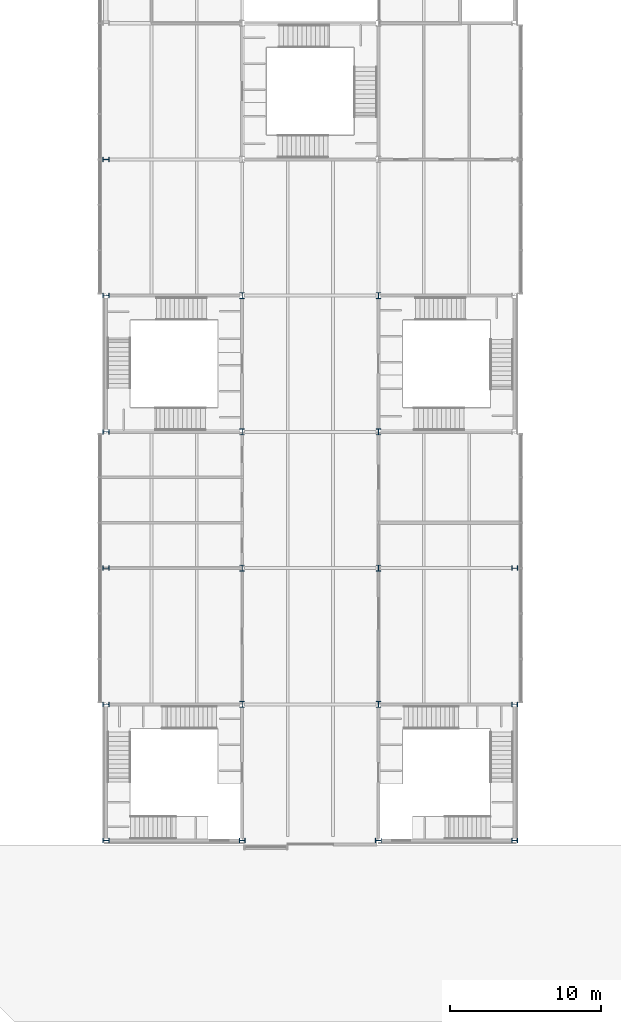
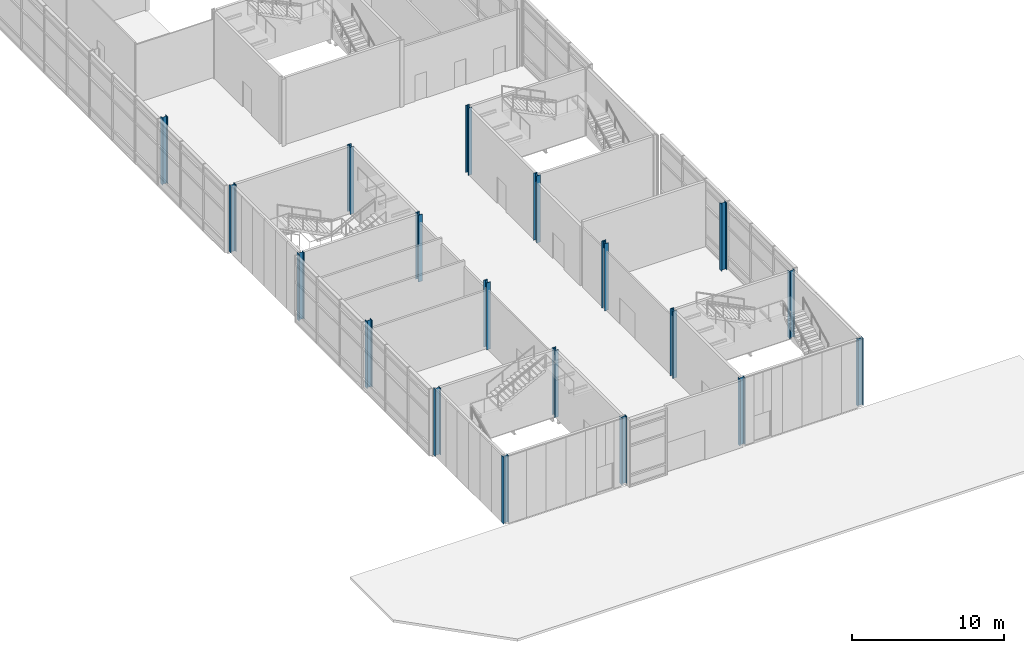
# One storey, part 1 of 56: 19 columns.
"""IFC4 building model written with IfcOpenShell, lengths in metres."""

from ifc_helpers import new_model, si_unit, direction, frame, origin, origin_2d, place, context, subcontext, project, spatial, i_section, extrude, material, material_profile, profile_set, type_object, element, save


model = new_model("IFC4")

# Units and contexts
model_context = context("Model", 3, precision=1e-05, world=origin(), true_north=direction((0.0, 1.0)))
body_context = subcontext(model_context, "Body", "Model", "MODEL_VIEW")
ifc_project = project(units=[si_unit("LENGTHUNIT", "METRE"), si_unit("AREAUNIT", "SQUARE_METRE"), si_unit("VOLUMEUNIT", "CUBIC_METRE"), si_unit("PLANEANGLEUNIT", "RADIAN"), si_unit("MASSUNIT", "GRAM", prefix="KILO")], contexts=[model_context])

# Site, building, storey
site_placement = place(None, origin())
site = spatial("IfcSite", under=ifc_project, at=site_placement, CompositionType="ELEMENT")
building_placement = place(site_placement, origin())
building = spatial("IfcBuilding", under=site, at=building_placement, Name="Azimuth Sports and Learning Centre", CompositionType="ELEMENT")
storey_placement = place(building_placement, frame((0.0, 0.0, 5.39990234375)))
storey = spatial("IfcBuildingStorey", under=building, at=storey_placement, Name="L01", CompositionType="ELEMENT", Elevation=5.39990234375)

# Columns
ifc_material = material(Name="Steel S355", Category="steel")
ifc_material_profile = material_profile(ifc_material, i_section(OverallWidth=0.300048828125, OverallDepth=0.39990234375, WebThickness=0.013427734375, FlangeThickness=0.02392578125, FilletRadius=0.027099609375, at=origin_2d()), Name="HEB 400")
ifc_profile_set = profile_set([ifc_material_profile], Name="Steel S355")
column_type = type_object("IfcColumnType", Name="Column HEB 400", PredefinedType="COLUMN", material=ifc_profile_set)
for number, where, z_axis, x_axis, name in (
    (1, (72.0, 0.0, 0.0), (0.0, 0.0, 1.0), (0.0, 1.0, 0.0), "Column 9A L01"),
    (2, (81.0, 0.0, 0.0), (0.0, 0.0, 1.0), (0.0, 1.0, 0.0), "Column 10A L01"),
    (3, (90.0, 0.0, 0.0), (0.0, 0.0, 1.0), (0.0, 1.0, 0.0), "Column 11A L01"),
    (4, (99.0, 0.0, 0.0), (0.0, 0.0, 1.0), (0.0, 1.0, 0.0), "Column 12A L01"),
    (5, (72.0, 9.0, 0.0), (0.0, 0.0, 1.0), (0.0, 1.0, 0.0), "Column 9B L01"),
    (6, (81.0, 9.0, 0.0), (0.0, 0.0, 1.0), (1.0, 0.0, 0.0), "Column 10B L01"),
    (7, (90.0, 9.0, 0.0), (0.0, 0.0, 1.0), (1.0, 0.0, 0.0), "Column 11B L01"),
    (8, (99.0, 9.0, 0.0), (0.0, 0.0, 1.0), (0.0, 1.0, 0.0), "Column 12B L01"),
    (9, (72.0, 18.0, 0.0), (0.0, 0.0, 1.0), (0.0, 1.0, 0.0), "Column 9C L01"),
    (10, (81.0, 18.0, 0.0), (0.0, 0.0, 1.0), (1.0, 0.0, 0.0), "Column 10C L01"),
    (11, (90.0, 18.0, 0.0), (0.0, 0.0, 1.0), (1.0, 0.0, 0.0), "Column 11C L01"),
    (12, (99.0, 18.0, 0.0), (0.0, 0.0, 1.0), (0.0, 1.0, 0.0), "Column 12C L01"),
    (13, (72.0, 27.0, 0.0), (0.0, 0.0, 1.0), (0.0, 1.0, 0.0), "Column 9D L01"),
    (14, (81.0, 27.0, 0.0), (0.0, 0.0, 1.0), (1.0, 0.0, 0.0), "Column 10D L01"),
    (15, (90.0, 27.0, 0.0), (0.0, 0.0, 1.0), (1.0, 0.0, 0.0), "Column 11D L01"),
    (16, (72.0, 36.0, 0.0), (0.0, 0.0, 1.0), (0.0, 1.0, 0.0), "Column 9E L01"),
    (17, (81.0, 36.0, 0.0), (0.0, 0.0, 1.0), (1.0, 0.0, 0.0), "Column 10E L01"),
    (18, (90.0, 36.0, 0.0), (0.0, 0.0, 1.0), (1.0, 0.0, 0.0), "Column 11E L01"),
    (19, (72.0, 45.0, 0.0), (0.0, 0.0, 1.0), (0.0, 1.0, 0.0), "Column 9F L01"),
):
    element("IfcColumn", number, at=place(storey_placement, frame(where, z_axis=z_axis, x_axis=x_axis)), inside=storey, type_object=column_type, Name=name, PredefinedType="COLUMN", context=body_context, shape_type="SweptSolid", body=[
        extrude(i_section(OverallWidth=0.300048828125, OverallDepth=0.39990234375, WebThickness=0.013427734375, FlangeThickness=0.02392578125, FilletRadius=0.027099609375, at=origin_2d()), origin(), (0.0, 0.0, 1.0), 5.400146484375),
    ])

save(model, "model.ifc")
